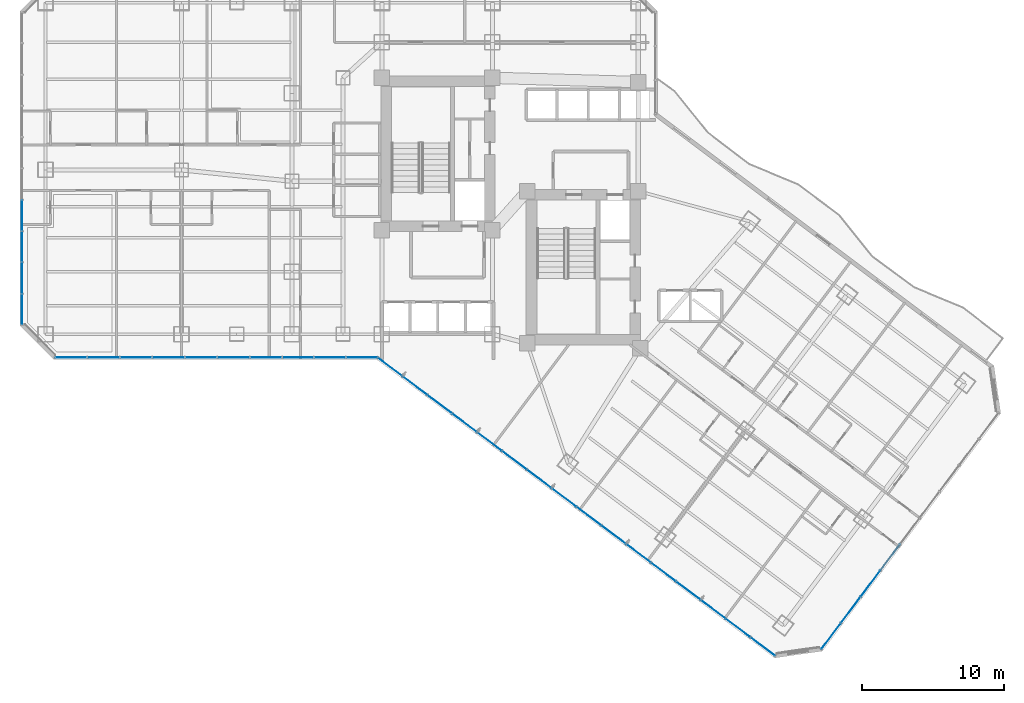
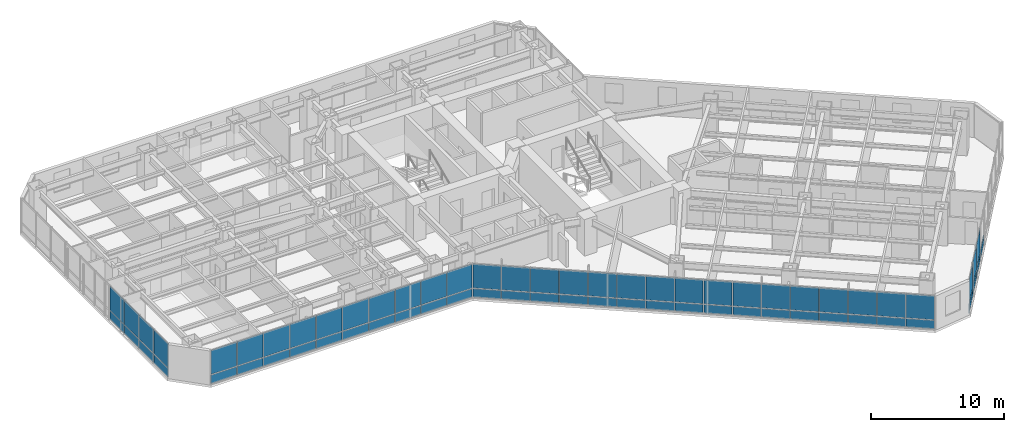
# One storey, part 26 of 38: 67 plates, 5 elements without a shape of their own.
"""IFC4 building model written with IfcOpenShell, lengths in metres."""

from ifc_helpers import new_model, si_unit, direction, frame, origin, origin_2d, place, context, subcontext, project, spatial, rectangle, extrude, material, layer, layer_set, type_object, element, aggregate, save


model = new_model("IFC4")

# Units and contexts
model_context = context("Model", 3, precision=1e-05, world=origin(), true_north=direction((0.0, 1.0)))
body_context = subcontext(model_context, "Body", "Model", "MODEL_VIEW")
ifc_project = project(units=[si_unit("LENGTHUNIT", "METRE"), si_unit("AREAUNIT", "SQUARE_METRE"), si_unit("VOLUMEUNIT", "CUBIC_METRE"), si_unit("PLANEANGLEUNIT", "RADIAN"), si_unit("MASSUNIT", "GRAM", prefix="KILO")], contexts=[model_context])

# Site, building, storey
site_placement = place(None, origin())
site = spatial("IfcSite", under=ifc_project, at=site_placement, CompositionType="ELEMENT")
building_placement = place(site_placement, origin())
building = spatial("IfcBuilding", under=site, at=building_placement, Name="Hatsunagi Terrace Concourse", CompositionType="ELEMENT")
storey_placement = place(building_placement, frame((0.0, 0.0, 63.39990234375)))
storey = spatial("IfcBuildingStorey", under=building, at=storey_placement, Name="L16", CompositionType="ELEMENT", Elevation=63.39990234375)

# Curtain wall, plates
ifc_material_1 = material(Name="Anodised Aluminium Alloy 6063-T5", Category="aluminium")
ifc_layer_1 = layer(ifc_material_1, 0.199951171875)
ifc_layer_set_1 = layer_set([ifc_layer_1], Name="HotelFacade_CW02")
curtain_wall_type = type_object("IfcCurtainWallType", Name="HotelFacade_CW02", PredefinedType="NOTDEFINED", material=ifc_layer_set_1)
curtain_wall_1_placement = place(storey_placement, origin())
curtain_wall_1 = element("IfcCurtainWall", 1, at=curtain_wall_1_placement, inside=storey, type_object=curtain_wall_type, Name="Unitised Curtain Wall CW-02 CW-L16-03", PredefinedType="NOTDEFINED")
ifc_material_2 = material(Name="Warm Terracotta Ceramic Spandrel Panel", Category="masonry")
ifc_layer_2 = layer(ifc_material_2, 0.031982421875)
ifc_layer_set_2 = layer_set([ifc_layer_2], Name="CurtainWallSpandrelPanel_32")
plate_type_1 = type_object("IfcPlateType", Name="CurtainWallSpandrelPanel_32", PredefinedType="SHEET", material=ifc_layer_set_2)
plate_1_placement = place(storey_placement, frame((61.43603515625, 9.447998046875, 0.030029296875), z_axis=(0.0, 0.0, 1.0), x_axis=(-0.599969314634, -0.800023013105, 0.0)))
plate_1 = element("IfcPlate", 2, at=plate_1_placement, type_object=plate_type_1, Name="Terracotta Spandrel Panel SPN-01", PredefinedType="SHEET", context=body_context, shape_type="SweptSolid", body=[
    extrude(rectangle(XDim=2.264892578125, YDim=0.031982421875, at=origin_2d()), origin(), (0.0, 0.0, 1.0), 0.7900390625),
])
plate_2_placement = place(storey_placement, frame((60.0439453125, 7.591064453125, 0.030029296875), z_axis=(0.0, 0.0, 1.0), x_axis=(-0.599969314634, -0.800023013105, 0.0)))
plate_2 = element("IfcPlate", 3, at=plate_2_placement, type_object=plate_type_1, Name="Terracotta Spandrel Panel SPN-01", PredefinedType="SHEET", context=body_context, shape_type="SweptSolid", body=[
    extrude(rectangle(XDim=2.264892578125, YDim=0.031982421875, at=origin_2d()), origin(), (0.0, 0.0, 1.0), 0.7900390625),
])
plate_3_placement = place(storey_placement, frame((58.65087890625, 5.735107421875, 0.030029296875), z_axis=(0.0, 0.0, 1.0), x_axis=(-0.599969314634, -0.800023013105, 0.0)))
plate_3 = element("IfcPlate", 4, at=plate_3_placement, type_object=plate_type_1, Name="Terracotta Spandrel Panel SPN-01", PredefinedType="SHEET", context=body_context, shape_type="SweptSolid", body=[
    extrude(rectangle(XDim=2.264892578125, YDim=0.031982421875, at=origin_2d()), origin(), (0.0, 0.0, 1.0), 0.7900390625),
])
plate_4_placement = place(storey_placement, frame((57.259033203125, 3.8779296875, 0.030029296875), z_axis=(0.0, 0.0, 1.0), x_axis=(-0.599969314634, -0.800023013105, 0.0)))
plate_4 = element("IfcPlate", 5, at=plate_4_placement, type_object=plate_type_1, Name="Terracotta Spandrel Panel SPN-01", PredefinedType="SHEET", context=body_context, shape_type="SweptSolid", body=[
    extrude(rectangle(XDim=2.264892578125, YDim=0.031982421875, at=origin_2d()), origin(), (0.0, 0.0, 1.0), 0.7900390625),
])

curtain_wall_2_placement = place(storey_placement, origin())
curtain_wall_2 = element("IfcCurtainWall", 6, at=curtain_wall_2_placement, inside=storey, type_object=curtain_wall_type, Name="Unitised Curtain Wall CW-02 CW-L16-05", PredefinedType="NOTDEFINED")
plate_5_placement = place(storey_placement, frame((52.44091796875, 3.14501953125, 0.030029296875), z_axis=(0.0, 0.0, 1.0), x_axis=(-0.800003116929, 0.599995844072, 0.0)))
plate_5 = element("IfcPlate", 7, at=plate_5_placement, type_object=plate_type_1, Name="Terracotta Spandrel Panel SPN-01", PredefinedType="SHEET", context=body_context, shape_type="SweptSolid", body=[
    extrude(rectangle(XDim=2.137939453125, YDim=0.031982421875, at=origin_2d()), origin(), (0.0, 0.0, 1.0), 0.7900390625),
])
plate_6_placement = place(storey_placement, frame((50.68603515625, 4.4609375, 0.030029296875), z_axis=(0.0, 0.0, 1.0), x_axis=(-0.800003116929, 0.599995844072, 0.0)))
plate_6 = element("IfcPlate", 8, at=plate_6_placement, type_object=plate_type_1, Name="Terracotta Spandrel Panel SPN-01", PredefinedType="SHEET", context=body_context, shape_type="SweptSolid", body=[
    extrude(rectangle(XDim=2.137939453125, YDim=0.031982421875, at=origin_2d()), origin(), (0.0, 0.0, 1.0), 0.7900390625),
])
plate_7_placement = place(storey_placement, frame((48.931884765625, 5.777099609375, 0.030029296875), z_axis=(0.0, 0.0, 1.0), x_axis=(-0.800003116929, 0.599995844072, 0.0)))
plate_7 = element("IfcPlate", 9, at=plate_7_placement, type_object=plate_type_1, Name="Terracotta Spandrel Panel SPN-01", PredefinedType="SHEET", context=body_context, shape_type="SweptSolid", body=[
    extrude(rectangle(XDim=2.137939453125, YDim=0.031982421875, at=origin_2d()), origin(), (0.0, 0.0, 1.0), 0.7900390625),
])
plate_8_placement = place(storey_placement, frame((47.177001953125, 7.092041015625, 0.030029296875), z_axis=(0.0, 0.0, 1.0), x_axis=(-0.800003116929, 0.599995844072, 0.0)))
plate_8 = element("IfcPlate", 10, at=plate_8_placement, type_object=plate_type_1, Name="Terracotta Spandrel Panel SPN-01", PredefinedType="SHEET", context=body_context, shape_type="SweptSolid", body=[
    extrude(rectangle(XDim=2.137939453125, YDim=0.031982421875, at=origin_2d()), origin(), (0.0, 0.0, 1.0), 0.7900390625),
])
plate_9_placement = place(storey_placement, frame((45.423095703125, 8.407958984375, 0.030029296875), z_axis=(0.0, 0.0, 1.0), x_axis=(-0.800003116929, 0.599995844072, 0.0)))
plate_9 = element("IfcPlate", 11, at=plate_9_placement, type_object=plate_type_1, Name="Terracotta Spandrel Panel SPN-01", PredefinedType="SHEET", context=body_context, shape_type="SweptSolid", body=[
    extrude(rectangle(XDim=2.137939453125, YDim=0.031982421875, at=origin_2d()), origin(), (0.0, 0.0, 1.0), 0.7900390625),
])
plate_10_placement = place(storey_placement, frame((43.6689453125, 9.72412109375, 0.030029296875), z_axis=(0.0, 0.0, 1.0), x_axis=(-0.800003116929, 0.599995844072, 0.0)))
plate_10 = element("IfcPlate", 12, at=plate_10_placement, type_object=plate_type_1, Name="Terracotta Spandrel Panel SPN-01", PredefinedType="SHEET", context=body_context, shape_type="SweptSolid", body=[
    extrude(rectangle(XDim=2.137939453125, YDim=0.031982421875, at=origin_2d()), origin(), (0.0, 0.0, 1.0), 0.7900390625),
])
plate_11_placement = place(storey_placement, frame((41.9140625, 11.0400390625, 0.030029296875), z_axis=(0.0, 0.0, 1.0), x_axis=(-0.800003116929, 0.599995844072, 0.0)))
plate_11 = element("IfcPlate", 13, at=plate_11_placement, type_object=plate_type_1, Name="Terracotta Spandrel Panel SPN-01", PredefinedType="SHEET", context=body_context, shape_type="SweptSolid", body=[
    extrude(rectangle(XDim=2.137939453125, YDim=0.031982421875, at=origin_2d()), origin(), (0.0, 0.0, 1.0), 0.7900390625),
])
plate_12_placement = place(storey_placement, frame((40.159912109375, 12.35595703125, 0.030029296875), z_axis=(0.0, 0.0, 1.0), x_axis=(-0.800003116929, 0.599995844072, 0.0)))
plate_12 = element("IfcPlate", 14, at=plate_12_placement, type_object=plate_type_1, Name="Terracotta Spandrel Panel SPN-01", PredefinedType="SHEET", context=body_context, shape_type="SweptSolid", body=[
    extrude(rectangle(XDim=2.137939453125, YDim=0.031982421875, at=origin_2d()), origin(), (0.0, 0.0, 1.0), 0.7900390625),
])
plate_13_placement = place(storey_placement, frame((38.405029296875, 13.6708984375, 0.030029296875), z_axis=(0.0, 0.0, 1.0), x_axis=(-0.800003116929, 0.599995844072, 0.0)))
plate_13 = element("IfcPlate", 15, at=plate_13_placement, type_object=plate_type_1, Name="Terracotta Spandrel Panel SPN-01", PredefinedType="SHEET", context=body_context, shape_type="SweptSolid", body=[
    extrude(rectangle(XDim=2.137939453125, YDim=0.031982421875, at=origin_2d()), origin(), (0.0, 0.0, 1.0), 0.7900390625),
])
plate_14_placement = place(storey_placement, frame((36.65087890625, 14.987060546875, 0.030029296875), z_axis=(0.0, 0.0, 1.0), x_axis=(-0.800003116929, 0.599995844072, 0.0)))
plate_14 = element("IfcPlate", 16, at=plate_14_placement, type_object=plate_type_1, Name="Terracotta Spandrel Panel SPN-01", PredefinedType="SHEET", context=body_context, shape_type="SweptSolid", body=[
    extrude(rectangle(XDim=2.137939453125, YDim=0.031982421875, at=origin_2d()), origin(), (0.0, 0.0, 1.0), 0.7900390625),
])
plate_15_placement = place(storey_placement, frame((34.89599609375, 16.302978515625, 0.030029296875), z_axis=(0.0, 0.0, 1.0), x_axis=(-0.800003116929, 0.599995844072, 0.0)))
plate_15 = element("IfcPlate", 17, at=plate_15_placement, type_object=plate_type_1, Name="Terracotta Spandrel Panel SPN-01", PredefinedType="SHEET", context=body_context, shape_type="SweptSolid", body=[
    extrude(rectangle(XDim=2.137939453125, YDim=0.031982421875, at=origin_2d()), origin(), (0.0, 0.0, 1.0), 0.7900390625),
])
plate_16_placement = place(storey_placement, frame((33.14208984375, 17.618896484375, 0.030029296875), z_axis=(0.0, 0.0, 1.0), x_axis=(-0.800003116929, 0.599995844072, 0.0)))
plate_16 = element("IfcPlate", 18, at=plate_16_placement, type_object=plate_type_1, Name="Terracotta Spandrel Panel SPN-01", PredefinedType="SHEET", context=body_context, shape_type="SweptSolid", body=[
    extrude(rectangle(XDim=2.137939453125, YDim=0.031982421875, at=origin_2d()), origin(), (0.0, 0.0, 1.0), 0.7900390625),
])
plate_17_placement = place(storey_placement, frame((31.387939453125, 18.93505859375, 0.030029296875), z_axis=(0.0, 0.0, 1.0), x_axis=(-0.800003116929, 0.599995844072, 0.0)))
plate_17 = element("IfcPlate", 19, at=plate_17_placement, type_object=plate_type_1, Name="Terracotta Spandrel Panel SPN-01", PredefinedType="SHEET", context=body_context, shape_type="SweptSolid", body=[
    extrude(rectangle(XDim=2.137939453125, YDim=0.031982421875, at=origin_2d()), origin(), (0.0, 0.0, 1.0), 0.7900390625),
])
plate_18_placement = place(storey_placement, frame((29.633056640625, 20.25, 0.030029296875), z_axis=(0.0, 0.0, 1.0), x_axis=(-0.800003116929, 0.599995844072, 0.0)))
plate_18 = element("IfcPlate", 20, at=plate_18_placement, type_object=plate_type_1, Name="Terracotta Spandrel Panel SPN-01", PredefinedType="SHEET", context=body_context, shape_type="SweptSolid", body=[
    extrude(rectangle(XDim=2.137939453125, YDim=0.031982421875, at=origin_2d()), origin(), (0.0, 0.0, 1.0), 0.7900390625),
])
plate_19_placement = place(storey_placement, frame((27.87890625, 21.56591796875, 0.030029296875), z_axis=(0.0, 0.0, 1.0), x_axis=(-0.800003116929, 0.599995844072, 0.0)))
plate_19 = element("IfcPlate", 21, at=plate_19_placement, type_object=plate_type_1, Name="Terracotta Spandrel Panel SPN-01", PredefinedType="SHEET", context=body_context, shape_type="SweptSolid", body=[
    extrude(rectangle(XDim=2.137939453125, YDim=0.031982421875, at=origin_2d()), origin(), (0.0, 0.0, 1.0), 0.7900390625),
])
plate_20_placement = place(storey_placement, frame((26.1240234375, 22.882080078125, 0.030029296875), z_axis=(0.0, 0.0, 1.0), x_axis=(-0.800003116929, 0.599995844072, 0.0)))
plate_20 = element("IfcPlate", 22, at=plate_20_placement, type_object=plate_type_1, Name="Terracotta Spandrel Panel SPN-01", PredefinedType="SHEET", context=body_context, shape_type="SweptSolid", body=[
    extrude(rectangle(XDim=2.137939453125, YDim=0.031982421875, at=origin_2d()), origin(), (0.0, 0.0, 1.0), 0.7900390625),
])

curtain_wall_3_placement = place(storey_placement, origin())
curtain_wall_3 = element("IfcCurtainWall", 23, at=curtain_wall_3_placement, inside=storey, type_object=curtain_wall_type, Name="Unitised Curtain Wall CW-02 CW-L16-06", PredefinedType="NOTDEFINED")
plate_21_placement = place(storey_placement, frame((24.1220703125, 23.5400390625, 0.030029296875), z_axis=(0.0, 0.0, 1.0), x_axis=(-1.0, 0.0, 0.0)))
plate_21 = element("IfcPlate", 24, at=plate_21_placement, type_object=plate_type_1, Name="Terracotta Spandrel Panel SPN-01", PredefinedType="SHEET", context=body_context, shape_type="SweptSolid", body=[
    extrude(rectangle(XDim=2.194091796875, YDim=0.031982421875, at=origin_2d()), origin(), (0.0, 0.0, 1.0), 0.7900390625),
])
plate_22_placement = place(storey_placement, frame((21.873046875, 23.5400390625, 0.030029296875), z_axis=(0.0, 0.0, 1.0), x_axis=(-1.0, 0.0, 0.0)))
plate_22 = element("IfcPlate", 25, at=plate_22_placement, type_object=plate_type_1, Name="Terracotta Spandrel Panel SPN-01", PredefinedType="SHEET", context=body_context, shape_type="SweptSolid", body=[
    extrude(rectangle(XDim=2.194091796875, YDim=0.031982421875, at=origin_2d()), origin(), (0.0, 0.0, 1.0), 0.7900390625),
])
plate_23_placement = place(storey_placement, frame((19.6240234375, 23.5400390625, 0.030029296875), z_axis=(0.0, 0.0, 1.0), x_axis=(-1.0, 0.0, 0.0)))
plate_23 = element("IfcPlate", 26, at=plate_23_placement, type_object=plate_type_1, Name="Terracotta Spandrel Panel SPN-01", PredefinedType="SHEET", context=body_context, shape_type="SweptSolid", body=[
    extrude(rectangle(XDim=2.194091796875, YDim=0.031982421875, at=origin_2d()), origin(), (0.0, 0.0, 1.0), 0.7900390625),
])

curtain_wall_4_placement = place(storey_placement, origin())
curtain_wall_4 = element("IfcCurtainWall", 27, at=curtain_wall_4_placement, inside=storey, type_object=curtain_wall_type, Name="Unitised Curtain Wall CW-02 CW-L16-07", PredefinedType="NOTDEFINED")
plate_24_placement = place(storey_placement, frame((17.35400390625, 23.5400390625, 0.030029296875), z_axis=(0.0, 0.0, 1.0), x_axis=(-1.0, 0.0, 0.0)))
plate_24 = element("IfcPlate", 28, at=plate_24_placement, type_object=plate_type_1, Name="Terracotta Spandrel Panel SPN-01", PredefinedType="SHEET", context=body_context, shape_type="SweptSolid", body=[
    extrude(rectangle(XDim=2.237060546875, YDim=0.031982421875, at=origin_2d()), origin(), (0.0, 0.0, 1.0), 0.7900390625),
])
plate_25_placement = place(storey_placement, frame((15.06201171875, 23.5400390625, 0.030029296875), z_axis=(0.0, 0.0, 1.0), x_axis=(-1.0, 0.0, 0.0)))
plate_25 = element("IfcPlate", 29, at=plate_25_placement, type_object=plate_type_1, Name="Terracotta Spandrel Panel SPN-01", PredefinedType="SHEET", context=body_context, shape_type="SweptSolid", body=[
    extrude(rectangle(XDim=2.237060546875, YDim=0.031982421875, at=origin_2d()), origin(), (0.0, 0.0, 1.0), 0.7900390625),
])
plate_26_placement = place(storey_placement, frame((12.77099609375, 23.5400390625, 0.030029296875), z_axis=(0.0, 0.0, 1.0), x_axis=(-1.0, 0.0, 0.0)))
plate_26 = element("IfcPlate", 30, at=plate_26_placement, type_object=plate_type_1, Name="Terracotta Spandrel Panel SPN-01", PredefinedType="SHEET", context=body_context, shape_type="SweptSolid", body=[
    extrude(rectangle(XDim=2.237060546875, YDim=0.031982421875, at=origin_2d()), origin(), (0.0, 0.0, 1.0), 0.7900390625),
])
plate_27_placement = place(storey_placement, frame((10.47900390625, 23.5400390625, 0.030029296875), z_axis=(0.0, 0.0, 1.0), x_axis=(-1.0, 0.0, 0.0)))
plate_27 = element("IfcPlate", 31, at=plate_27_placement, type_object=plate_type_1, Name="Terracotta Spandrel Panel SPN-01", PredefinedType="SHEET", context=body_context, shape_type="SweptSolid", body=[
    extrude(rectangle(XDim=2.237060546875, YDim=0.031982421875, at=origin_2d()), origin(), (0.0, 0.0, 1.0), 0.7900390625),
])
plate_28_placement = place(storey_placement, frame((8.18701171875, 23.5400390625, 0.030029296875), z_axis=(0.0, 0.0, 1.0), x_axis=(-1.0, 0.0, 0.0)))
plate_28 = element("IfcPlate", 32, at=plate_28_placement, type_object=plate_type_1, Name="Terracotta Spandrel Panel SPN-01", PredefinedType="SHEET", context=body_context, shape_type="SweptSolid", body=[
    extrude(rectangle(XDim=2.237060546875, YDim=0.031982421875, at=origin_2d()), origin(), (0.0, 0.0, 1.0), 0.7900390625),
])
plate_29_placement = place(storey_placement, frame((5.89599609375, 23.5400390625, 0.030029296875), z_axis=(0.0, 0.0, 1.0), x_axis=(-1.0, 0.0, 0.0)))
plate_29 = element("IfcPlate", 33, at=plate_29_placement, type_object=plate_type_1, Name="Terracotta Spandrel Panel SPN-01", PredefinedType="SHEET", context=body_context, shape_type="SweptSolid", body=[
    extrude(rectangle(XDim=2.237060546875, YDim=0.031982421875, at=origin_2d()), origin(), (0.0, 0.0, 1.0), 0.7900390625),
])
plate_30_placement = place(storey_placement, frame((3.60400390625, 23.5400390625, 0.030029296875), z_axis=(0.0, 0.0, 1.0), x_axis=(-1.0, 0.0, 0.0)))
plate_30 = element("IfcPlate", 34, at=plate_30_placement, type_object=plate_type_1, Name="Terracotta Spandrel Panel SPN-01", PredefinedType="SHEET", context=body_context, shape_type="SweptSolid", body=[
    extrude(rectangle(XDim=2.237060546875, YDim=0.031982421875, at=origin_2d()), origin(), (0.0, 0.0, 1.0), 0.7900390625),
])

curtain_wall_5_placement = place(storey_placement, origin())
curtain_wall_5 = element("IfcCurtainWall", 35, at=curtain_wall_5_placement, inside=storey, type_object=curtain_wall_type, Name="Unitised Curtain Wall CW-02 CW-L16-09", PredefinedType="NOTDEFINED")
plate_31_placement = place(storey_placement, frame((0.139892578125, 26.9619140625, 0.030029296875), z_axis=(0.0, 0.0, 1.0), x_axis=(0.0, 1.0, 0.0)))
plate_31 = element("IfcPlate", 36, at=plate_31_placement, type_object=plate_type_1, Name="Terracotta Spandrel Panel SPN-01", PredefinedType="SHEET", context=body_context, shape_type="SweptSolid", body=[
    extrude(rectangle(XDim=2.153076171875, YDim=0.031982421875, at=origin_2d()), origin(), (0.0, 0.0, 1.0), 0.7900390625),
])
plate_32_placement = place(storey_placement, frame((0.139892578125, 29.1708984375, 0.030029296875), z_axis=(0.0, 0.0, 1.0), x_axis=(0.0, 1.0, 0.0)))
plate_32 = element("IfcPlate", 37, at=plate_32_placement, type_object=plate_type_1, Name="Terracotta Spandrel Panel SPN-01", PredefinedType="SHEET", context=body_context, shape_type="SweptSolid", body=[
    extrude(rectangle(XDim=2.153076171875, YDim=0.031982421875, at=origin_2d()), origin(), (0.0, 0.0, 1.0), 0.7900390625),
])
plate_33_placement = place(storey_placement, frame((0.139892578125, 31.37890625, 0.030029296875), z_axis=(0.0, 0.0, 1.0), x_axis=(0.0, 1.0, 0.0)))
plate_33 = element("IfcPlate", 38, at=plate_33_placement, type_object=plate_type_1, Name="Terracotta Spandrel Panel SPN-01", PredefinedType="SHEET", context=body_context, shape_type="SweptSolid", body=[
    extrude(rectangle(XDim=2.153076171875, YDim=0.031982421875, at=origin_2d()), origin(), (0.0, 0.0, 1.0), 0.7900390625),
])
plate_34_placement = place(storey_placement, frame((0.139892578125, 33.5869140625, 0.030029296875), z_axis=(0.0, 0.0, 1.0), x_axis=(0.0, 1.0, 0.0)))
plate_34 = element("IfcPlate", 39, at=plate_34_placement, type_object=plate_type_1, Name="Terracotta Spandrel Panel SPN-01", PredefinedType="SHEET", context=body_context, shape_type="SweptSolid", body=[
    extrude(rectangle(XDim=2.153076171875, YDim=0.031982421875, at=origin_2d()), origin(), (0.0, 0.0, 1.0), 0.7900390625),
])

# Plate
ifc_material_3 = material(Name="Low-E Double Insulating Glass 28mm", Category="glass")
ifc_layer_3 = layer(ifc_material_3, 0.028076171875)
ifc_layer_set_3 = layer_set([ifc_layer_3], Name="CurtainWallVisionGlass_28")
plate_type_2 = type_object("IfcPlateType", Name="CurtainWallVisionGlass_28", PredefinedType="CURTAIN_PANEL", material=ifc_layer_set_3)
plate_35_placement = place(storey_placement, frame((60.0439453125, 7.591064453125, 0.8798828125), z_axis=(0.0, 0.0, 1.0), x_axis=(-0.599969314634, -0.800023013105, 0.0)))
plate_35 = element("IfcPlate", 40, at=plate_35_placement, type_object=plate_type_2, Name="Low-E Vision Glass Panel GLZ-01", PredefinedType="CURTAIN_PANEL", context=body_context, shape_type="SweptSolid", body=[
    extrude(rectangle(XDim=2.264892578125, YDim=0.028076171875, at=origin_2d()), origin(), (0.0, 0.0, 1.0), 2.219970703125),
])

plate_36_placement = place(storey_placement, frame((58.65087890625, 5.735107421875, 0.8798828125), z_axis=(0.0, 0.0, 1.0), x_axis=(-0.599969314634, -0.800023013105, 0.0)))
plate_36 = element("IfcPlate", 41, at=plate_36_placement, type_object=plate_type_2, Name="Low-E Vision Glass Panel GLZ-01", PredefinedType="CURTAIN_PANEL", context=body_context, shape_type="SweptSolid", body=[
    extrude(rectangle(XDim=2.264892578125, YDim=0.028076171875, at=origin_2d()), origin(), (0.0, 0.0, 1.0), 2.219970703125),
])

plate_37_placement = place(storey_placement, frame((57.259033203125, 3.8779296875, 0.8798828125), z_axis=(0.0, 0.0, 1.0), x_axis=(-0.599969314634, -0.800023013105, 0.0)))
plate_37 = element("IfcPlate", 42, at=plate_37_placement, type_object=plate_type_2, Name="Low-E Vision Glass Panel GLZ-01", PredefinedType="CURTAIN_PANEL", context=body_context, shape_type="SweptSolid", body=[
    extrude(rectangle(XDim=2.264892578125, YDim=0.028076171875, at=origin_2d()), origin(), (0.0, 0.0, 1.0), 2.219970703125),
])

aggregate(curtain_wall_1, [plate_1, plate_2, plate_35, plate_3, plate_36, plate_4, plate_37])

plate_38_placement = place(storey_placement, frame((52.44091796875, 3.14501953125, 0.8798828125), z_axis=(0.0, 0.0, 1.0), x_axis=(-0.800003116929, 0.599995844072, 0.0)))
plate_38 = element("IfcPlate", 43, at=plate_38_placement, type_object=plate_type_2, Name="Low-E Vision Glass Panel GLZ-01", PredefinedType="CURTAIN_PANEL", context=body_context, shape_type="SweptSolid", body=[
    extrude(rectangle(XDim=2.137939453125, YDim=0.028076171875, at=origin_2d()), origin(), (0.0, 0.0, 1.0), 2.219970703125),
])

plate_39_placement = place(storey_placement, frame((50.68603515625, 4.4609375, 0.8798828125), z_axis=(0.0, 0.0, 1.0), x_axis=(-0.800003116929, 0.599995844072, 0.0)))
plate_39 = element("IfcPlate", 44, at=plate_39_placement, type_object=plate_type_2, Name="Low-E Vision Glass Panel GLZ-01", PredefinedType="CURTAIN_PANEL", context=body_context, shape_type="SweptSolid", body=[
    extrude(rectangle(XDim=2.137939453125, YDim=0.028076171875, at=origin_2d()), origin(), (0.0, 0.0, 1.0), 2.219970703125),
])

plate_40_placement = place(storey_placement, frame((48.931884765625, 5.777099609375, 0.8798828125), z_axis=(0.0, 0.0, 1.0), x_axis=(-0.800003116929, 0.599995844072, 0.0)))
plate_40 = element("IfcPlate", 45, at=plate_40_placement, type_object=plate_type_2, Name="Low-E Vision Glass Panel GLZ-01", PredefinedType="CURTAIN_PANEL", context=body_context, shape_type="SweptSolid", body=[
    extrude(rectangle(XDim=2.137939453125, YDim=0.028076171875, at=origin_2d()), origin(), (0.0, 0.0, 1.0), 2.219970703125),
])

plate_41_placement = place(storey_placement, frame((47.177001953125, 7.092041015625, 0.8798828125), z_axis=(0.0, 0.0, 1.0), x_axis=(-0.800003116929, 0.599995844072, 0.0)))
plate_41 = element("IfcPlate", 46, at=plate_41_placement, type_object=plate_type_2, Name="Low-E Vision Glass Panel GLZ-01", PredefinedType="CURTAIN_PANEL", context=body_context, shape_type="SweptSolid", body=[
    extrude(rectangle(XDim=2.137939453125, YDim=0.028076171875, at=origin_2d()), origin(), (0.0, 0.0, 1.0), 2.219970703125),
])

plate_42_placement = place(storey_placement, frame((45.423095703125, 8.407958984375, 0.8798828125), z_axis=(0.0, 0.0, 1.0), x_axis=(-0.800003116929, 0.599995844072, 0.0)))
plate_42 = element("IfcPlate", 47, at=plate_42_placement, type_object=plate_type_2, Name="Low-E Vision Glass Panel GLZ-01", PredefinedType="CURTAIN_PANEL", context=body_context, shape_type="SweptSolid", body=[
    extrude(rectangle(XDim=2.137939453125, YDim=0.028076171875, at=origin_2d()), origin(), (0.0, 0.0, 1.0), 2.219970703125),
])

plate_43_placement = place(storey_placement, frame((43.6689453125, 9.72412109375, 0.8798828125), z_axis=(0.0, 0.0, 1.0), x_axis=(-0.800003116929, 0.599995844072, 0.0)))
plate_43 = element("IfcPlate", 48, at=plate_43_placement, type_object=plate_type_2, Name="Low-E Vision Glass Panel GLZ-01", PredefinedType="CURTAIN_PANEL", context=body_context, shape_type="SweptSolid", body=[
    extrude(rectangle(XDim=2.137939453125, YDim=0.028076171875, at=origin_2d()), origin(), (0.0, 0.0, 1.0), 2.219970703125),
])

plate_44_placement = place(storey_placement, frame((41.9140625, 11.0400390625, 0.8798828125), z_axis=(0.0, 0.0, 1.0), x_axis=(-0.800003116929, 0.599995844072, 0.0)))
plate_44 = element("IfcPlate", 49, at=plate_44_placement, type_object=plate_type_2, Name="Low-E Vision Glass Panel GLZ-01", PredefinedType="CURTAIN_PANEL", context=body_context, shape_type="SweptSolid", body=[
    extrude(rectangle(XDim=2.137939453125, YDim=0.028076171875, at=origin_2d()), origin(), (0.0, 0.0, 1.0), 2.219970703125),
])

plate_45_placement = place(storey_placement, frame((40.159912109375, 12.35595703125, 0.8798828125), z_axis=(0.0, 0.0, 1.0), x_axis=(-0.800003116929, 0.599995844072, 0.0)))
plate_45 = element("IfcPlate", 50, at=plate_45_placement, type_object=plate_type_2, Name="Low-E Vision Glass Panel GLZ-01", PredefinedType="CURTAIN_PANEL", context=body_context, shape_type="SweptSolid", body=[
    extrude(rectangle(XDim=2.137939453125, YDim=0.028076171875, at=origin_2d()), origin(), (0.0, 0.0, 1.0), 2.219970703125),
])

plate_46_placement = place(storey_placement, frame((38.405029296875, 13.6708984375, 0.8798828125), z_axis=(0.0, 0.0, 1.0), x_axis=(-0.800003116929, 0.599995844072, 0.0)))
plate_46 = element("IfcPlate", 51, at=plate_46_placement, type_object=plate_type_2, Name="Low-E Vision Glass Panel GLZ-01", PredefinedType="CURTAIN_PANEL", context=body_context, shape_type="SweptSolid", body=[
    extrude(rectangle(XDim=2.137939453125, YDim=0.028076171875, at=origin_2d()), origin(), (0.0, 0.0, 1.0), 2.219970703125),
])

plate_47_placement = place(storey_placement, frame((36.65087890625, 14.987060546875, 0.8798828125), z_axis=(0.0, 0.0, 1.0), x_axis=(-0.800003116929, 0.599995844072, 0.0)))
plate_47 = element("IfcPlate", 52, at=plate_47_placement, type_object=plate_type_2, Name="Low-E Vision Glass Panel GLZ-01", PredefinedType="CURTAIN_PANEL", context=body_context, shape_type="SweptSolid", body=[
    extrude(rectangle(XDim=2.137939453125, YDim=0.028076171875, at=origin_2d()), origin(), (0.0, 0.0, 1.0), 2.219970703125),
])

plate_48_placement = place(storey_placement, frame((34.89599609375, 16.302978515625, 0.8798828125), z_axis=(0.0, 0.0, 1.0), x_axis=(-0.800003116929, 0.599995844072, 0.0)))
plate_48 = element("IfcPlate", 53, at=plate_48_placement, type_object=plate_type_2, Name="Low-E Vision Glass Panel GLZ-01", PredefinedType="CURTAIN_PANEL", context=body_context, shape_type="SweptSolid", body=[
    extrude(rectangle(XDim=2.137939453125, YDim=0.028076171875, at=origin_2d()), origin(), (0.0, 0.0, 1.0), 2.219970703125),
])

plate_49_placement = place(storey_placement, frame((33.14208984375, 17.618896484375, 0.8798828125), z_axis=(0.0, 0.0, 1.0), x_axis=(-0.800003116929, 0.599995844072, 0.0)))
plate_49 = element("IfcPlate", 54, at=plate_49_placement, type_object=plate_type_2, Name="Low-E Vision Glass Panel GLZ-01", PredefinedType="CURTAIN_PANEL", context=body_context, shape_type="SweptSolid", body=[
    extrude(rectangle(XDim=2.137939453125, YDim=0.028076171875, at=origin_2d()), origin(), (0.0, 0.0, 1.0), 2.219970703125),
])

plate_50_placement = place(storey_placement, frame((31.387939453125, 18.93505859375, 0.8798828125), z_axis=(0.0, 0.0, 1.0), x_axis=(-0.800003116929, 0.599995844072, 0.0)))
plate_50 = element("IfcPlate", 55, at=plate_50_placement, type_object=plate_type_2, Name="Low-E Vision Glass Panel GLZ-01", PredefinedType="CURTAIN_PANEL", context=body_context, shape_type="SweptSolid", body=[
    extrude(rectangle(XDim=2.137939453125, YDim=0.028076171875, at=origin_2d()), origin(), (0.0, 0.0, 1.0), 2.219970703125),
])

plate_51_placement = place(storey_placement, frame((29.633056640625, 20.25, 0.8798828125), z_axis=(0.0, 0.0, 1.0), x_axis=(-0.800003116929, 0.599995844072, 0.0)))
plate_51 = element("IfcPlate", 56, at=plate_51_placement, type_object=plate_type_2, Name="Low-E Vision Glass Panel GLZ-01", PredefinedType="CURTAIN_PANEL", context=body_context, shape_type="SweptSolid", body=[
    extrude(rectangle(XDim=2.137939453125, YDim=0.028076171875, at=origin_2d()), origin(), (0.0, 0.0, 1.0), 2.219970703125),
])

plate_52_placement = place(storey_placement, frame((27.87890625, 21.56591796875, 0.8798828125), z_axis=(0.0, 0.0, 1.0), x_axis=(-0.800003116929, 0.599995844072, 0.0)))
plate_52 = element("IfcPlate", 57, at=plate_52_placement, type_object=plate_type_2, Name="Low-E Vision Glass Panel GLZ-01", PredefinedType="CURTAIN_PANEL", context=body_context, shape_type="SweptSolid", body=[
    extrude(rectangle(XDim=2.137939453125, YDim=0.028076171875, at=origin_2d()), origin(), (0.0, 0.0, 1.0), 2.219970703125),
])

plate_53_placement = place(storey_placement, frame((26.1240234375, 22.882080078125, 0.8798828125), z_axis=(0.0, 0.0, 1.0), x_axis=(-0.800003116929, 0.599995844072, 0.0)))
plate_53 = element("IfcPlate", 58, at=plate_53_placement, type_object=plate_type_2, Name="Low-E Vision Glass Panel GLZ-01", PredefinedType="CURTAIN_PANEL", context=body_context, shape_type="SweptSolid", body=[
    extrude(rectangle(XDim=2.137939453125, YDim=0.028076171875, at=origin_2d()), origin(), (0.0, 0.0, 1.0), 2.219970703125),
])

aggregate(curtain_wall_2, [plate_5, plate_38, plate_6, plate_39, plate_7, plate_40, plate_8, plate_41, plate_9, plate_42, plate_10, plate_43, plate_11, plate_44, plate_12, plate_45, plate_13, plate_46, plate_14, plate_47, plate_15, plate_48, plate_16, plate_49, plate_17, plate_50, plate_18, plate_51, plate_19, plate_52, plate_20, plate_53])

plate_54_placement = place(storey_placement, frame((24.1220703125, 23.5400390625, 0.8798828125), z_axis=(0.0, 0.0, 1.0), x_axis=(-1.0, 0.0, 0.0)))
plate_54 = element("IfcPlate", 59, at=plate_54_placement, type_object=plate_type_2, Name="Low-E Vision Glass Panel GLZ-01", PredefinedType="CURTAIN_PANEL", context=body_context, shape_type="SweptSolid", body=[
    extrude(rectangle(XDim=2.194091796875, YDim=0.028076171875, at=origin_2d()), origin(), (0.0, 0.0, 1.0), 2.219970703125),
])

plate_55_placement = place(storey_placement, frame((21.873046875, 23.5400390625, 0.8798828125), z_axis=(0.0, 0.0, 1.0), x_axis=(-1.0, 0.0, 0.0)))
plate_55 = element("IfcPlate", 60, at=plate_55_placement, type_object=plate_type_2, Name="Low-E Vision Glass Panel GLZ-01", PredefinedType="CURTAIN_PANEL", context=body_context, shape_type="SweptSolid", body=[
    extrude(rectangle(XDim=2.194091796875, YDim=0.028076171875, at=origin_2d()), origin(), (0.0, 0.0, 1.0), 2.219970703125),
])

plate_56_placement = place(storey_placement, frame((19.6240234375, 23.5400390625, 0.8798828125), z_axis=(0.0, 0.0, 1.0), x_axis=(-1.0, 0.0, 0.0)))
plate_56 = element("IfcPlate", 61, at=plate_56_placement, type_object=plate_type_2, Name="Low-E Vision Glass Panel GLZ-01", PredefinedType="CURTAIN_PANEL", context=body_context, shape_type="SweptSolid", body=[
    extrude(rectangle(XDim=2.194091796875, YDim=0.028076171875, at=origin_2d()), origin(), (0.0, 0.0, 1.0), 2.219970703125),
])

aggregate(curtain_wall_3, [plate_21, plate_54, plate_22, plate_55, plate_23, plate_56])

plate_57_placement = place(storey_placement, frame((17.35400390625, 23.5400390625, 0.8798828125), z_axis=(0.0, 0.0, 1.0), x_axis=(-1.0, 0.0, 0.0)))
plate_57 = element("IfcPlate", 62, at=plate_57_placement, type_object=plate_type_2, Name="Low-E Vision Glass Panel GLZ-01", PredefinedType="CURTAIN_PANEL", context=body_context, shape_type="SweptSolid", body=[
    extrude(rectangle(XDim=2.237060546875, YDim=0.028076171875, at=origin_2d()), origin(), (0.0, 0.0, 1.0), 2.219970703125),
])

plate_58_placement = place(storey_placement, frame((15.06201171875, 23.5400390625, 0.8798828125), z_axis=(0.0, 0.0, 1.0), x_axis=(-1.0, 0.0, 0.0)))
plate_58 = element("IfcPlate", 63, at=plate_58_placement, type_object=plate_type_2, Name="Low-E Vision Glass Panel GLZ-01", PredefinedType="CURTAIN_PANEL", context=body_context, shape_type="SweptSolid", body=[
    extrude(rectangle(XDim=2.237060546875, YDim=0.028076171875, at=origin_2d()), origin(), (0.0, 0.0, 1.0), 2.219970703125),
])

plate_59_placement = place(storey_placement, frame((12.77099609375, 23.5400390625, 0.8798828125), z_axis=(0.0, 0.0, 1.0), x_axis=(-1.0, 0.0, 0.0)))
plate_59 = element("IfcPlate", 64, at=plate_59_placement, type_object=plate_type_2, Name="Low-E Vision Glass Panel GLZ-01", PredefinedType="CURTAIN_PANEL", context=body_context, shape_type="SweptSolid", body=[
    extrude(rectangle(XDim=2.237060546875, YDim=0.028076171875, at=origin_2d()), origin(), (0.0, 0.0, 1.0), 2.219970703125),
])

plate_60_placement = place(storey_placement, frame((10.47900390625, 23.5400390625, 0.8798828125), z_axis=(0.0, 0.0, 1.0), x_axis=(-1.0, 0.0, 0.0)))
plate_60 = element("IfcPlate", 65, at=plate_60_placement, type_object=plate_type_2, Name="Low-E Vision Glass Panel GLZ-01", PredefinedType="CURTAIN_PANEL", context=body_context, shape_type="SweptSolid", body=[
    extrude(rectangle(XDim=2.237060546875, YDim=0.028076171875, at=origin_2d()), origin(), (0.0, 0.0, 1.0), 2.219970703125),
])

plate_61_placement = place(storey_placement, frame((8.18701171875, 23.5400390625, 0.8798828125), z_axis=(0.0, 0.0, 1.0), x_axis=(-1.0, 0.0, 0.0)))
plate_61 = element("IfcPlate", 66, at=plate_61_placement, type_object=plate_type_2, Name="Low-E Vision Glass Panel GLZ-01", PredefinedType="CURTAIN_PANEL", context=body_context, shape_type="SweptSolid", body=[
    extrude(rectangle(XDim=2.237060546875, YDim=0.028076171875, at=origin_2d()), origin(), (0.0, 0.0, 1.0), 2.219970703125),
])

plate_62_placement = place(storey_placement, frame((5.89599609375, 23.5400390625, 0.8798828125), z_axis=(0.0, 0.0, 1.0), x_axis=(-1.0, 0.0, 0.0)))
plate_62 = element("IfcPlate", 67, at=plate_62_placement, type_object=plate_type_2, Name="Low-E Vision Glass Panel GLZ-01", PredefinedType="CURTAIN_PANEL", context=body_context, shape_type="SweptSolid", body=[
    extrude(rectangle(XDim=2.237060546875, YDim=0.028076171875, at=origin_2d()), origin(), (0.0, 0.0, 1.0), 2.219970703125),
])

plate_63_placement = place(storey_placement, frame((3.60400390625, 23.5400390625, 0.8798828125), z_axis=(0.0, 0.0, 1.0), x_axis=(-1.0, 0.0, 0.0)))
plate_63 = element("IfcPlate", 68, at=plate_63_placement, type_object=plate_type_2, Name="Low-E Vision Glass Panel GLZ-01", PredefinedType="CURTAIN_PANEL", context=body_context, shape_type="SweptSolid", body=[
    extrude(rectangle(XDim=2.237060546875, YDim=0.028076171875, at=origin_2d()), origin(), (0.0, 0.0, 1.0), 2.219970703125),
])

aggregate(curtain_wall_4, [plate_24, plate_57, plate_25, plate_58, plate_26, plate_59, plate_27, plate_60, plate_28, plate_61, plate_29, plate_62, plate_30, plate_63])

plate_64_placement = place(storey_placement, frame((0.139892578125, 26.9619140625, 0.8798828125), z_axis=(0.0, 0.0, 1.0), x_axis=(0.0, 1.0, 0.0)))
plate_64 = element("IfcPlate", 69, at=plate_64_placement, type_object=plate_type_2, Name="Low-E Vision Glass Panel GLZ-01", PredefinedType="CURTAIN_PANEL", context=body_context, shape_type="SweptSolid", body=[
    extrude(rectangle(XDim=2.153076171875, YDim=0.028076171875, at=origin_2d()), origin(), (0.0, 0.0, 1.0), 2.219970703125),
])

plate_65_placement = place(storey_placement, frame((0.139892578125, 29.1708984375, 0.8798828125), z_axis=(0.0, 0.0, 1.0), x_axis=(0.0, 1.0, 0.0)))
plate_65 = element("IfcPlate", 70, at=plate_65_placement, type_object=plate_type_2, Name="Low-E Vision Glass Panel GLZ-01", PredefinedType="CURTAIN_PANEL", context=body_context, shape_type="SweptSolid", body=[
    extrude(rectangle(XDim=2.153076171875, YDim=0.028076171875, at=origin_2d()), origin(), (0.0, 0.0, 1.0), 2.219970703125),
])

plate_66_placement = place(storey_placement, frame((0.139892578125, 31.37890625, 0.8798828125), z_axis=(0.0, 0.0, 1.0), x_axis=(0.0, 1.0, 0.0)))
plate_66 = element("IfcPlate", 71, at=plate_66_placement, type_object=plate_type_2, Name="Low-E Vision Glass Panel GLZ-01", PredefinedType="CURTAIN_PANEL", context=body_context, shape_type="SweptSolid", body=[
    extrude(rectangle(XDim=2.153076171875, YDim=0.028076171875, at=origin_2d()), origin(), (0.0, 0.0, 1.0), 2.219970703125),
])

plate_67_placement = place(storey_placement, frame((0.139892578125, 33.5869140625, 0.8798828125), z_axis=(0.0, 0.0, 1.0), x_axis=(0.0, 1.0, 0.0)))
plate_67 = element("IfcPlate", 72, at=plate_67_placement, type_object=plate_type_2, Name="Low-E Vision Glass Panel GLZ-01", PredefinedType="CURTAIN_PANEL", context=body_context, shape_type="SweptSolid", body=[
    extrude(rectangle(XDim=2.153076171875, YDim=0.028076171875, at=origin_2d()), origin(), (0.0, 0.0, 1.0), 2.219970703125),
])

aggregate(curtain_wall_5, [plate_31, plate_64, plate_32, plate_65, plate_33, plate_66, plate_34, plate_67])

save(model, "model.ifc")
